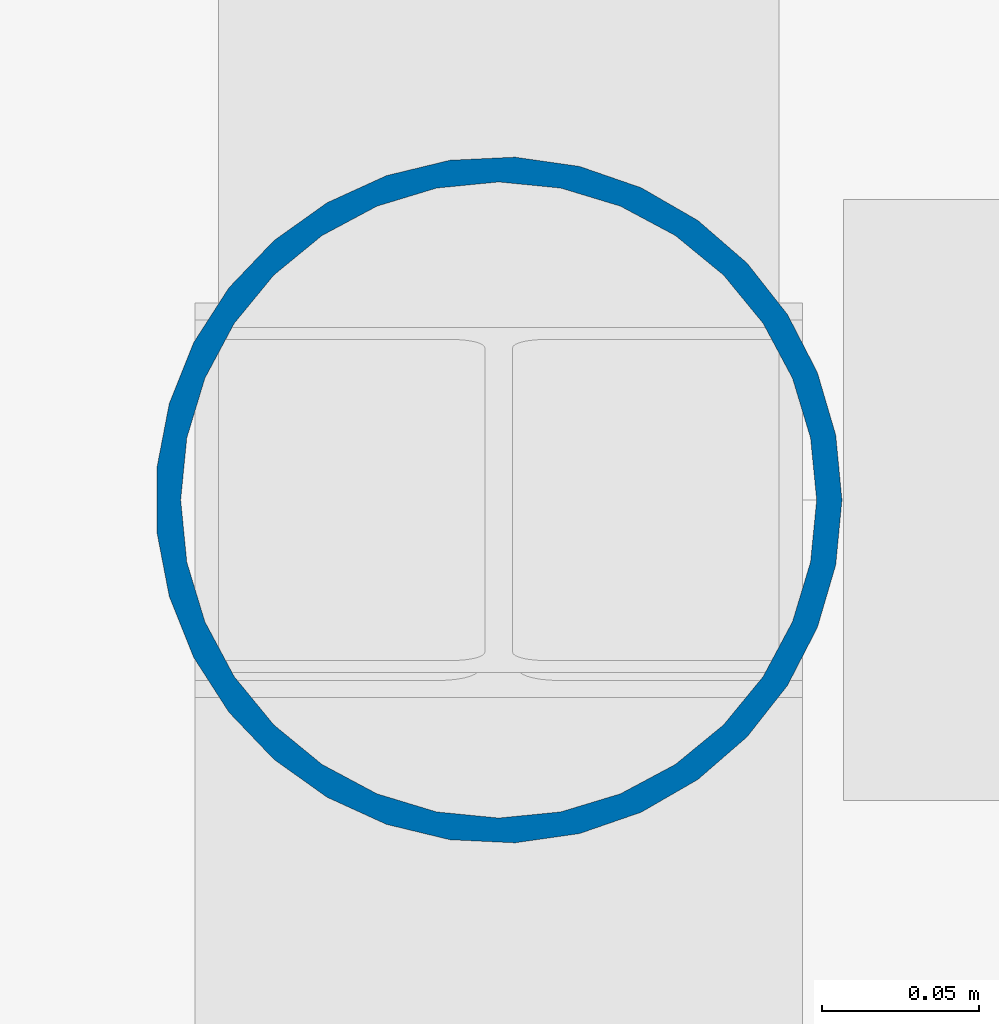
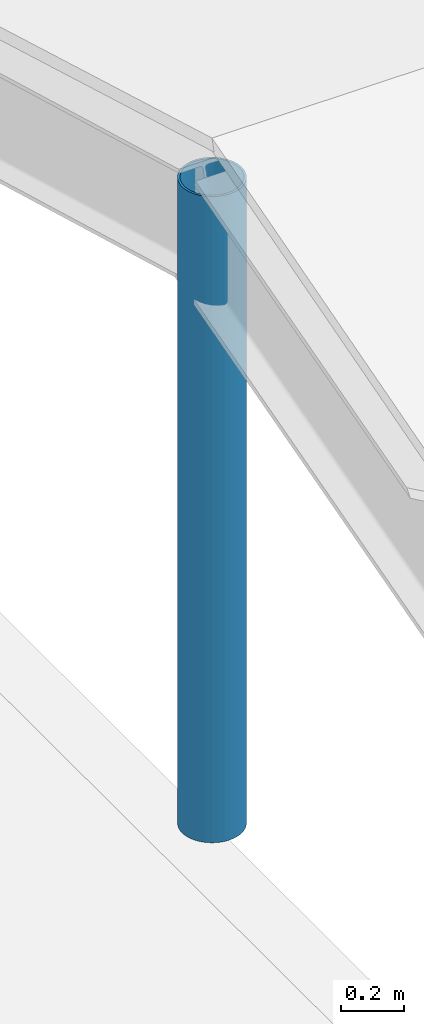
# One storey, part 1 of 15: 1 column.
"""IFC4 building model written with IfcOpenShell, lengths in metres."""

from ifc_helpers import new_model, si_unit, direction, frame, origin, origin_2d, place, context, subcontext, project, spatial, hollow_circle, extrude, material, material_profile, profile_set, type_object, element, save


model = new_model("IFC4")

# Units and contexts
model_context = context("Model", 3, precision=1e-05, world=origin(), true_north=direction((0.0, 1.0)))
body_context = subcontext(model_context, "Body", "Model", "MODEL_VIEW")
ifc_project = project(units=[si_unit("LENGTHUNIT", "METRE"), si_unit("AREAUNIT", "SQUARE_METRE"), si_unit("VOLUMEUNIT", "CUBIC_METRE"), si_unit("PLANEANGLEUNIT", "RADIAN"), si_unit("MASSUNIT", "GRAM", prefix="KILO")], contexts=[model_context])

# Site, building, storey
site_placement = place(None, origin())
site = spatial("IfcSite", under=ifc_project, at=site_placement, CompositionType="ELEMENT")
building_placement = place(site_placement, origin())
building = spatial("IfcBuilding", under=site, at=building_placement, Name="Cendralis Terraced Arcade", CompositionType="ELEMENT")
storey_placement = place(building_placement, frame((0.0, 0.0, 34.199951171875)))
storey = spatial("IfcBuildingStorey", under=building, at=storey_placement, Name="RF", CompositionType="ELEMENT", Elevation=34.199951171875)

# Column
ifc_material = material(Name="Steel ASTM A572 Grade 50", Category="steel")
ifc_material_profile = material_profile(ifc_material, hollow_circle(Radius=0.109619140625, WallThickness=0.008056640625, at=origin_2d()), Name="CHS219X8", Category="LoadBearing")
ifc_profile_set = profile_set([ifc_material_profile], Name="Steel ASTM A572 Grade 50")
column_type = type_object("IfcColumnType", Name="COL-STL-CHS219", PredefinedType="COLUMN", material=ifc_profile_set)
column_placement = place(storey_placement, frame((19.199951171875, 28.800048828125, 0.0), z_axis=(0.0, 0.0, 1.0), x_axis=(1.0, 0.0, 0.0)))
element("IfcColumn", 1, at=column_placement, inside=storey, type_object=column_type, Name="Atrium Skylight Ridge Post 3", PredefinedType="COLUMN", context=body_context, shape_type="SweptSolid", body=[
    extrude(hollow_circle(Radius=0.109619140625, WallThickness=0.008056640625, at=origin_2d()), origin(), (0.0, 0.0, 1.0), 2.5),
])

save(model, "model.ifc")
